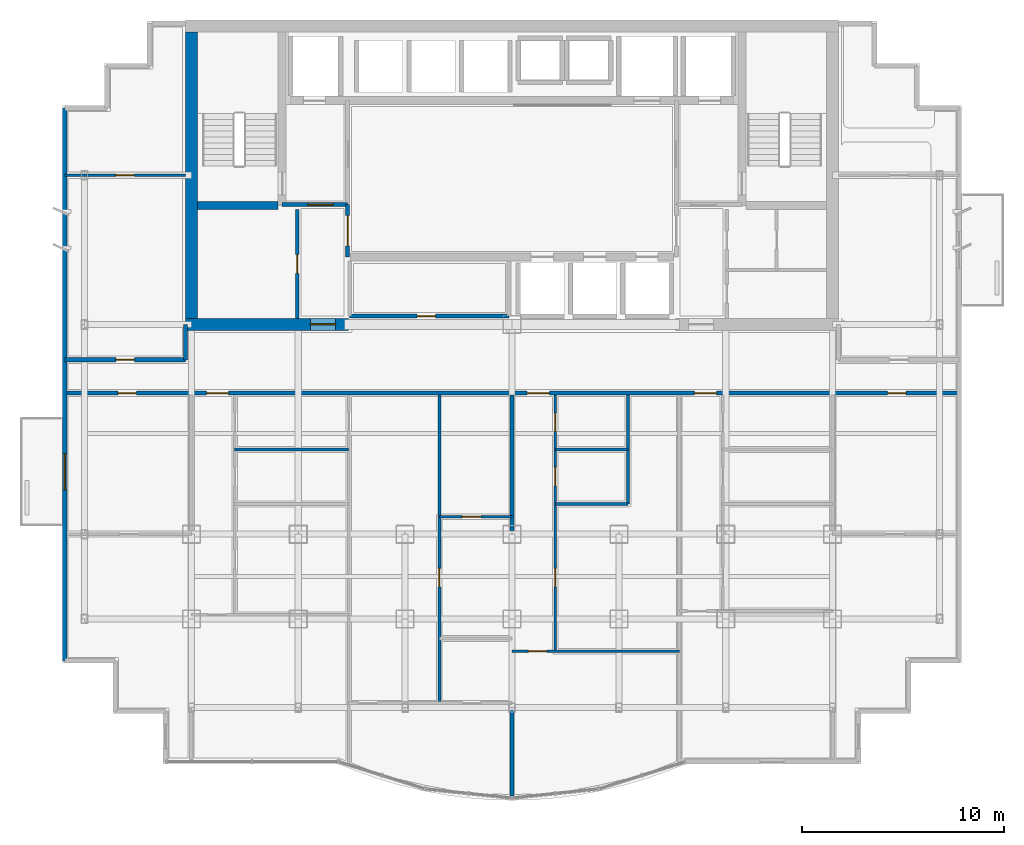
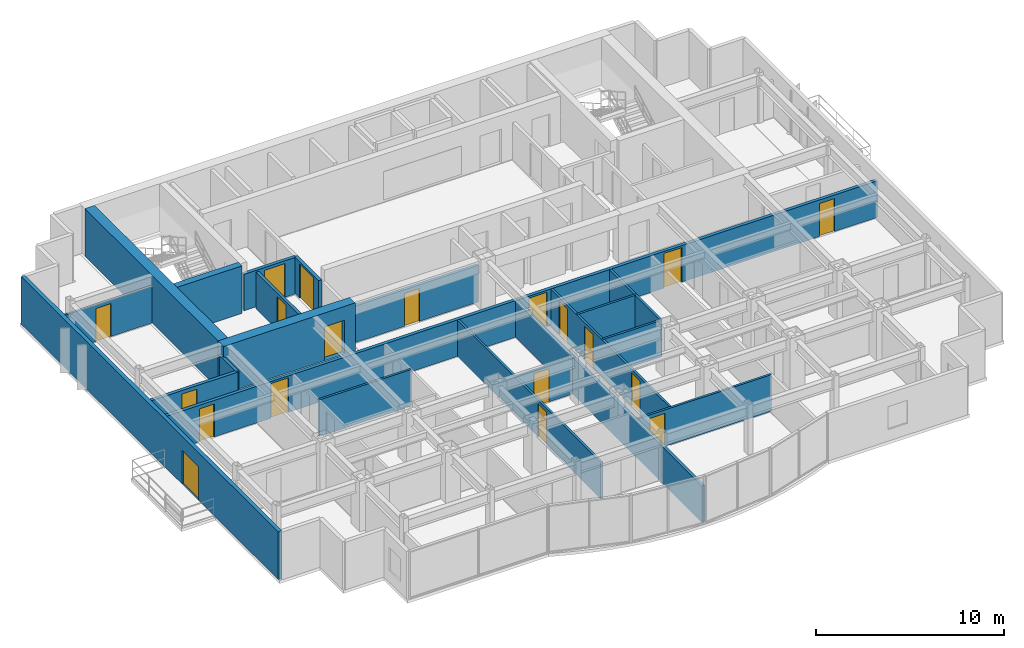
# One storey, part 6 of 11: 21 walls, 19 doors, 19 openings.
"""IFC4 building model written with IfcOpenShell, lengths in metres."""

from ifc_helpers import new_model, si_unit, direction, frame, frame_2d, origin, place, context, subcontext, project, spatial, rectangle, extrude, material, layer, layer_set, type_object, element, fill, save


model = new_model("IFC4")

# Units and contexts
model_context = context("Model", 3, precision=1e-05, world=origin(), true_north=direction((0.0, 1.0)))
body_context = subcontext(model_context, "Body", "Model", "MODEL_VIEW")
ifc_project = project(units=[si_unit("LENGTHUNIT", "METRE"), si_unit("AREAUNIT", "SQUARE_METRE"), si_unit("VOLUMEUNIT", "CUBIC_METRE"), si_unit("PLANEANGLEUNIT", "RADIAN"), si_unit("MASSUNIT", "GRAM", prefix="KILO")], contexts=[model_context])

# Site, building, storey
site_placement = place(None, origin())
site = spatial("IfcSite", under=ifc_project, at=site_placement, CompositionType="ELEMENT")
building_placement = place(site_placement, origin())
building = spatial("IfcBuilding", under=site, at=building_placement, Name="Qianlan Lanfeng Residences", CompositionType="ELEMENT")
storey_placement = place(building_placement, frame((0.0, 0.0, 152.39990234375)))
storey = spatial("IfcBuildingStorey", under=building, at=storey_placement, Name="L41", CompositionType="ELEMENT", Elevation=152.39990234375)

# Walls
ifc_material_1 = material(Name="Concrete C56", Category="concrete")
ifc_layer_1 = layer(ifc_material_1, 0.39990234375)
ifc_layer_set_1 = layer_set([ifc_layer_1], Name="Concrete C56")
wall_type_1 = type_object("IfcWallType", Name="CW-RC-400", PredefinedType="SHEAR", material=ifc_layer_set_1)
wall_1_placement = place(storey_placement, frame((10.89990234375, 31.10009765625, 0.0), z_axis=(0.0, 0.0, 1.0), x_axis=(1.0, 0.0, 0.0)))
element("IfcWall", 1, at=wall_1_placement, inside=storey, type_object=wall_type_1, Name="L41 Core Shear Wall ST1S", PredefinedType="SHEAR", context=body_context, shape_type="SweptSolid", body=[
    extrude(rectangle(XDim=4.0, YDim=0.39990234375, at=frame_2d((2.0, 0.0))), origin(), (0.0, 0.0, 1.0), 3.10009765625),
])
ifc_layer_2 = layer(ifc_material_1, 0.60009765625)
ifc_layer_set_2 = layer_set([ifc_layer_2], Name="Concrete C56")
wall_type_2 = type_object("IfcWallType", Name="CW-RC-600", PredefinedType="SHEAR", material=ifc_layer_set_2)
wall_2_placement = place(storey_placement, frame((10.60009765625, 25.5, 0.0), z_axis=(0.0, 0.0, 1.0), x_axis=(0.0, 1.0, 0.0)))
element("IfcWall", 2, at=wall_2_placement, inside=storey, type_object=wall_type_2, Name="L41 Core Shear Wall W", PredefinedType="SHEAR", context=body_context, shape_type="SweptSolid", body=[
    extrude(rectangle(XDim=14.199951171875, YDim=0.60009765625, at=frame_2d((7.10009765625, 0.0))), origin(), (0.0, 0.0, 1.0), 3.10009765625),
])

# Wall, opening, door
wall_3_placement = place(storey_placement, frame((10.300048828125, 25.199951171875, 0.0), z_axis=(0.0, 0.0, 1.0), x_axis=(1.0, 0.0, 0.0)))
wall_3 = element("IfcWall", 3, at=wall_3_placement, inside=storey, type_object=wall_type_2, Name="L41 Core Shear Wall SW", PredefinedType="SHEAR", context=body_context, shape_type="SweptSolid", body=[
    extrude(rectangle(XDim=8.099853515625, YDim=0.60009765625, at=frame_2d((4.0498046875, 0.0))), origin(), (0.0, 0.0, 1.0), 3.10009765625),
])
opening_1_placement = place(wall_3_placement, frame((6.199951171875, 0.0, 0.0)))
opening_1 = element("IfcOpeningElement", 4, at=opening_1_placement, cuts=wall_3, Name="Opening L41-D01", PredefinedType="OPENING", context=body_context, shape_type="SweptSolid", body=[
    extrude(rectangle(XDim=1.25, YDim=2.199951171875, at=frame_2d((0.625, 1.10009765625))), frame((0.0, 0.31005859375, 0.0), z_axis=(0.0, -1.0, 0.0), x_axis=(1.0, 0.0, 0.0)), (0.0, 0.0, 1.0), 0.6201171875),
])
ifc_material_2 = material(Name="Painted Galvanised Steel Fire Door", Category="steel")
door_type_1 = type_object("IfcDoorType", Name="DT-FFL", OperationType="NOTDEFINED", PredefinedType="DOOR", material=ifc_material_2)
door_1_placement = place(opening_1_placement, origin())
door_1 = element("IfcDoor", 5, at=door_1_placement, inside=storey, type_object=door_type_1, Name="L41 West Core Lobby Smoke Door L41-D01 (DT-FFL)", OperationType="SINGLE_SWING_RIGHT", OverallHeight=2.199951171875, OverallWidth=1.25, PredefinedType="DOOR", context=body_context, shape_type="SweptSolid", body=[
    extrude(rectangle(XDim=1.25, YDim=2.199951171875, at=frame_2d((0.625, 1.10009765625))), frame((0.0, 0.02490234375, 0.0), z_axis=(0.0, -1.0, 0.0), x_axis=(1.0, 0.0, 0.0)), (0.0, 0.0, 1.0), 0.050048828125),
])
fill(opening_1, door_1)

ifc_material_3 = material(Name="Concrete C42", Category="concrete")
ifc_layer_3 = layer(ifc_material_3, 0.239990234375)
ifc_layer_set_3 = layer_set([ifc_layer_3], Name="Concrete C42")
wall_type_3 = type_object("IfcWallType", Name="EW-240", PredefinedType="SOLIDWALL", material=ifc_layer_set_3)
wall_4_placement = place(storey_placement, frame((4.320068359375, 35.929931640625, 0.0), z_axis=(0.0, 0.0, 1.0), x_axis=(0.0, -1.0, 0.0)))
wall_4 = element("IfcWall", 6, at=wall_4_placement, inside=storey, type_object=wall_type_3, Name="L41 Terrace/Balcony Access Exterior Wall 21", PredefinedType="SOLIDWALL", context=body_context, shape_type="SweptSolid", body=[
    extrude(rectangle(XDim=27.409912109375, YDim=0.239990234375, at=frame_2d((13.705078125, 0.0))), origin(), (0.0, 0.0, 1.0), 3.10009765625),
])
opening_2_placement = place(wall_4_placement, frame((17.1298828125, 0.0, 0.0)))
opening_2 = element("IfcOpeningElement", 7, at=opening_2_placement, cuts=wall_4, Name="Opening L41-D-WB-S", PredefinedType="OPENING", context=body_context, shape_type="SweptSolid", body=[
    extrude(rectangle(XDim=1.800048828125, YDim=2.199951171875, at=frame_2d((0.89990234375, 1.10009765625))), frame((0.0, 0.1298828125, 0.0), z_axis=(0.0, -1.0, 0.0), x_axis=(1.0, 0.0, 0.0)), (0.0, 0.0, 1.0), 0.260009765625),
])
ifc_material_4 = material(Name="Anodised Bronze Aluminium Framed Glass", Category="aluminium")
door_type_2 = type_object("IfcDoorType", Name="DT-BAL1", OperationType="NOTDEFINED", PredefinedType="DOOR", material=ifc_material_4)
door_2_placement = place(opening_2_placement, frame((1.800048828125, 0.0, 0.0), z_axis=(0.0, 0.0, 1.0), x_axis=(-1.0, 0.0, 0.0)))
door_2 = element("IfcDoor", 8, at=door_2_placement, inside=storey, type_object=door_type_2, Name="L41 Exterior Access Door WB-S", OperationType="DOUBLE_DOOR_SLIDING", OverallHeight=2.199951171875, OverallWidth=1.800048828125, PredefinedType="DOOR", context=body_context, shape_type="SweptSolid", body=[
    extrude(rectangle(XDim=1.800048828125, YDim=2.199951171875, at=frame_2d((0.89990234375, 1.10009765625))), frame((0.0, 0.02490234375, 0.0), z_axis=(0.0, -1.0, 0.0), x_axis=(1.0, 0.0, 0.0)), (0.0, 0.0, 1.0), 0.050048828125),
])
fill(opening_2, door_2)

ifc_material_5 = material(Name="Demountable Acoustic Framing Partition 110 mm")
ifc_layer_4 = layer(ifc_material_5, 0.110107421875)
ifc_layer_set_4 = layer_set([ifc_layer_4], Name="Demountable Acoustic Framing Partition 110 mm")
wall_type_4 = type_object("IfcWallType", Name="PW-110", PredefinedType="MOVABLE", material=ifc_layer_set_4)
wall_5_placement = place(storey_placement, frame((22.89990234375, 15.662109375, 0.0), z_axis=(0.0, 0.0, 1.0), x_axis=(1.0, 0.0, 0.0)))
wall_5 = element("IfcWall", 9, at=wall_5_placement, inside=storey, type_object=wall_type_4, Name="L41 U01 Wardrobe Split", PredefinedType="MOVABLE", context=body_context, shape_type="SweptSolid", body=[
    extrude(rectangle(XDim=3.60009765625, YDim=0.110107421875, at=frame_2d((1.800048828125, 0.0))), origin(), (0.0, 0.0, 1.0), 2.380126953125),
])
opening_3_placement = place(wall_5_placement, frame((1.139892578125, 0.0, 0.0)))
opening_3 = element("IfcOpeningElement", 10, at=opening_3_placement, cuts=wall_5, Name="Opening L41-D25", PredefinedType="OPENING", context=body_context, shape_type="SweptSolid", body=[
    extrude(rectangle(XDim=0.919921875, YDim=2.14990234375, at=frame_2d((0.4599609375, 1.074951171875))), frame((0.0, 0.06494140625, 0.0), z_axis=(0.0, -1.0, 0.0), x_axis=(1.0, 0.0, 0.0)), (0.0, 0.0, 1.0), 0.130126953125),
])
ifc_material_6 = material(Name="Glazed Timber Kitchen/Study Door", Category="wood")
door_type_3 = type_object("IfcDoorType", Name="DT-INT", OperationType="NOTDEFINED", PredefinedType="DOOR", material=ifc_material_6)
door_3_placement = place(opening_3_placement, origin())
door_3 = element("IfcDoor", 11, at=door_3_placement, inside=storey, type_object=door_type_3, Name="L41 U01 Dressing Inner Door L41-D25 (DT-INT)", OperationType="SINGLE_SWING_RIGHT", OverallHeight=2.14990234375, OverallWidth=0.919921875, PredefinedType="DOOR", context=body_context, shape_type="SweptSolid", body=[
    extrude(rectangle(XDim=0.919921875, YDim=2.14990234375, at=frame_2d((0.4599609375, 1.074951171875))), frame((0.0, 0.02490234375, 0.0), z_axis=(0.0, -1.0, 0.0), x_axis=(1.0, 0.0, 0.0)), (0.0, 0.0, 1.0), 0.050048828125),
])
fill(opening_3, door_3)

# Wall
ifc_material_7 = material(Name="Moisture-Resistant Gypsum Partition 135 mm")
ifc_layer_5 = layer(ifc_material_7, 0.135009765625)
ifc_layer_set_5 = layer_set([ifc_layer_5], Name="Moisture-Resistant Gypsum Partition 135 mm")
wall_type_5 = type_object("IfcWallType", Name="PW-135", PredefinedType="PARTITIONING", material=ifc_layer_set_5)
wall_6_placement = place(storey_placement, frame((12.75, 19.0, 0.0), z_axis=(0.0, 0.0, 1.0), x_axis=(1.0, 0.0, 0.0)))
element("IfcWall", 12, at=wall_6_placement, inside=storey, type_object=wall_type_5, Name="L41 U01 Bathroom South Wall", PredefinedType="PARTITIONING", context=body_context, shape_type="SweptSolid", body=[
    extrude(rectangle(XDim=5.64990234375, YDim=0.135009765625, at=frame_2d((2.824951171875, 0.0))), origin(), (0.0, 0.0, 1.0), 2.380126953125),
])

# Wall, opening, door
wall_7_placement = place(storey_placement, frame((22.89990234375, 6.424072265625, 0.0), z_axis=(0.0, 0.0, 1.0), x_axis=(0.0, 1.0, 0.0)))
wall_7 = element("IfcWall", 13, at=wall_7_placement, inside=storey, type_object=wall_type_5, Name="L41 U01 Master Passage Wall", PredefinedType="PARTITIONING", context=body_context, shape_type="SweptSolid", body=[
    extrude(rectangle(XDim=15.27587890625, YDim=0.135009765625, at=frame_2d((7.637939453125, 0.0))), origin(), (0.0, 0.0, 1.0), 2.380126953125),
])
opening_4_placement = place(wall_7_placement, frame((5.759033203125, 0.0, 0.0)))
opening_4 = element("IfcOpeningElement", 14, at=opening_4_placement, cuts=wall_7, Name="Opening L41-D24", PredefinedType="OPENING", context=body_context, shape_type="SweptSolid", body=[
    extrude(rectangle(XDim=0.919921875, YDim=2.14990234375, at=frame_2d((0.4599609375, 1.074951171875))), frame((0.0, 0.07763671875, 0.0), z_axis=(0.0, -1.0, 0.0), x_axis=(1.0, 0.0, 0.0)), (0.0, 0.0, 1.0), 0.155029296875),
])
door_4_placement = place(opening_4_placement, origin())
door_4 = element("IfcDoor", 15, at=door_4_placement, inside=storey, type_object=door_type_3, Name="L41 U01 Wardrobe Door L41-D24 (DT-INT)", OperationType="SINGLE_SWING_LEFT", OverallHeight=2.14990234375, OverallWidth=0.919921875, PredefinedType="DOOR", context=body_context, shape_type="SweptSolid", body=[
    extrude(rectangle(XDim=0.919921875, YDim=2.14990234375, at=frame_2d((0.4599609375, 1.074951171875))), frame((0.0, 0.02490234375, 0.0), z_axis=(0.0, -1.0, 0.0), x_axis=(1.0, 0.0, 0.0)), (0.0, 0.0, 1.0), 0.050048828125),
])
fill(opening_4, door_4)

wall_8_placement = place(storey_placement, frame((26.5, 8.990966796875, 0.0), z_axis=(0.0, 0.0, 1.0), x_axis=(1.0, 0.0, 0.0)))
wall_8 = element("IfcWall", 16, at=wall_8_placement, inside=storey, type_object=wall_type_5, Name="L41 U02 Living Divider", PredefinedType="PARTITIONING", context=body_context, shape_type="SweptSolid", body=[
    extrude(rectangle(XDim=8.300048828125, YDim=0.135009765625, at=frame_2d((4.14990234375, 0.0))), origin(), (0.0, 0.0, 1.0), 2.380126953125),
])
opening_5_placement = place(wall_8_placement, frame((0.81494140625, 0.0, 0.0)))
opening_5 = element("IfcOpeningElement", 17, at=opening_5_placement, cuts=wall_8, Name="Opening L41-D27", PredefinedType="OPENING", context=body_context, shape_type="SweptSolid", body=[
    extrude(rectangle(XDim=0.919921875, YDim=2.14990234375, at=frame_2d((0.4599609375, 1.074951171875))), frame((0.0, 0.07763671875, 0.0), z_axis=(0.0, -1.0, 0.0), x_axis=(1.0, 0.0, 0.0)), (0.0, 0.0, 1.0), 0.155029296875),
])
door_5_placement = place(opening_5_placement, origin())
door_5 = element("IfcDoor", 18, at=door_5_placement, inside=storey, type_object=door_type_3, Name="L41 U02 Living Passage Door L41-D27 (DT-INT)", OperationType="SINGLE_SWING_LEFT", OverallHeight=2.14990234375, OverallWidth=0.919921875, PredefinedType="DOOR", context=body_context, shape_type="SweptSolid", body=[
    extrude(rectangle(XDim=0.919921875, YDim=2.14990234375, at=frame_2d((0.4599609375, 1.074951171875))), frame((0.0, 0.02490234375, 0.0), z_axis=(0.0, -1.0, 0.0), x_axis=(1.0, 0.0, 0.0)), (0.0, 0.0, 1.0), 0.050048828125),
])
fill(opening_5, door_5)

# Wall, openings, doors
wall_9_placement = place(storey_placement, frame((28.64990234375, 8.990966796875, 0.0), z_axis=(0.0, 0.0, 1.0), x_axis=(0.0, 1.0, 0.0)))
wall_9 = element("IfcWall", 19, at=wall_9_placement, inside=storey, type_object=wall_type_5, Name="L41 U02 Entry Hall Spine", PredefinedType="PARTITIONING", context=body_context, shape_type="SweptSolid", body=[
    extrude(rectangle(XDim=12.708984375, YDim=0.135009765625, at=frame_2d((6.3544921875, 0.0))), origin(), (0.0, 0.0, 1.0), 2.380126953125),
])
opening_6_placement = place(wall_9_placement, frame((3.195068359375, 0.0, 0.0)))
opening_6 = element("IfcOpeningElement", 20, at=opening_6_placement, cuts=wall_9, Name="Opening L41-D28", PredefinedType="OPENING", context=body_context, shape_type="SweptSolid", body=[
    extrude(rectangle(XDim=0.919921875, YDim=2.14990234375, at=frame_2d((0.4599609375, 1.074951171875))), frame((0.0, 0.07763671875, 0.0), z_axis=(0.0, -1.0, 0.0), x_axis=(1.0, 0.0, 0.0)), (0.0, 0.0, 1.0), 0.155029296875),
])
opening_7_placement = place(wall_9_placement, frame((8.198974609375, 0.0, 0.0)))
opening_7 = element("IfcOpeningElement", 21, at=opening_7_placement, cuts=wall_9, Name="Opening L41-D29", PredefinedType="OPENING", context=body_context, shape_type="SweptSolid", body=[
    extrude(rectangle(XDim=0.919921875, YDim=2.14990234375, at=frame_2d((0.4599609375, 1.074951171875))), frame((0.0, 0.07763671875, 0.0), z_axis=(0.0, -1.0, 0.0), x_axis=(1.0, 0.0, 0.0)), (0.0, 0.0, 1.0), 0.155029296875),
])
opening_8_placement = place(wall_9_placement, frame((10.908935546875, 0.0, 0.0)))
opening_8 = element("IfcOpeningElement", 22, at=opening_8_placement, cuts=wall_9, Name="Opening L41-D30", PredefinedType="OPENING", context=body_context, shape_type="SweptSolid", body=[
    extrude(rectangle(XDim=0.89990234375, YDim=2.14990234375, at=frame_2d((0.449951171875, 1.074951171875))), frame((0.0, 0.07763671875, 0.0), z_axis=(0.0, -1.0, 0.0), x_axis=(1.0, 0.0, 0.0)), (0.0, 0.0, 1.0), 0.155029296875),
])
door_6_placement = place(opening_6_placement, origin())
door_6 = element("IfcDoor", 23, at=door_6_placement, inside=storey, type_object=door_type_3, Name="L41 U02 Study Door L41-D28 (DT-INT)", OperationType="SINGLE_SWING_LEFT", OverallHeight=2.14990234375, OverallWidth=0.919921875, PredefinedType="DOOR", context=body_context, shape_type="SweptSolid", body=[
    extrude(rectangle(XDim=0.919921875, YDim=2.14990234375, at=frame_2d((0.4599609375, 1.074951171875))), frame((0.0, 0.02490234375, 0.0), z_axis=(0.0, -1.0, 0.0), x_axis=(1.0, 0.0, 0.0)), (0.0, 0.0, 1.0), 0.050048828125),
])
fill(opening_6, door_6)
door_7_placement = place(opening_7_placement, origin())
door_7 = element("IfcDoor", 24, at=door_7_placement, inside=storey, type_object=door_type_3, Name="L41 U02 Kitchen Door L41-D29 (DT-INT)", OperationType="SINGLE_SWING_RIGHT", OverallHeight=2.14990234375, OverallWidth=0.919921875, PredefinedType="DOOR", context=body_context, shape_type="SweptSolid", body=[
    extrude(rectangle(XDim=0.919921875, YDim=2.14990234375, at=frame_2d((0.4599609375, 1.074951171875))), frame((0.0, 0.02490234375, 0.0), z_axis=(0.0, -1.0, 0.0), x_axis=(1.0, 0.0, 0.0)), (0.0, 0.0, 1.0), 0.050048828125),
])
fill(opening_7, door_7)
ifc_material_8 = material(Name="Moisture-Resistant Timber Leaf", Category="wood")
door_type_4 = type_object("IfcDoorType", Name="DT-WC", OperationType="NOTDEFINED", PredefinedType="DOOR", material=ifc_material_8)
door_8_placement = place(opening_8_placement, origin())
door_8 = element("IfcDoor", 25, at=door_8_placement, inside=storey, type_object=door_type_4, Name="L41 U02 Bathroom Door L41-D30 (DT-WC)", OperationType="SINGLE_SWING_LEFT", OverallHeight=2.14990234375, OverallWidth=0.89990234375, PredefinedType="DOOR", context=body_context, shape_type="SweptSolid", body=[
    extrude(rectangle(XDim=0.89990234375, YDim=2.14990234375, at=frame_2d((0.449951171875, 1.074951171875))), frame((0.0, 0.02490234375, 0.0), z_axis=(0.0, -1.0, 0.0), x_axis=(1.0, 0.0, 0.0)), (0.0, 0.0, 1.0), 0.050048828125),
])
fill(opening_8, door_8)

# Walls
wall_10_placement = place(storey_placement, frame((28.64990234375, 16.300048828125, 0.0), z_axis=(0.0, 0.0, 1.0), x_axis=(1.0, 0.0, 0.0)))
element("IfcWall", 26, at=wall_10_placement, inside=storey, type_object=wall_type_5, Name="L41 U02 Kitchen South Wall", PredefinedType="PARTITIONING", context=body_context, shape_type="SweptSolid", body=[
    extrude(rectangle(XDim=3.60009765625, YDim=0.135009765625, at=frame_2d((1.800048828125, 0.0))), origin(), (0.0, 0.0, 1.0), 2.380126953125),
])
wall_11_placement = place(storey_placement, frame((32.25, 16.300048828125, 0.0), z_axis=(0.0, 0.0, 1.0), x_axis=(0.0, 1.0, 0.0)))
element("IfcWall", 27, at=wall_11_placement, inside=storey, type_object=wall_type_5, Name="L41 U02 Dining East Wall", PredefinedType="PARTITIONING", context=body_context, shape_type="SweptSolid", body=[
    extrude(rectangle(XDim=5.39990234375, YDim=0.135009765625, at=frame_2d((2.699951171875, 0.0))), origin(), (0.0, 0.0, 1.0), 2.380126953125),
])
wall_12_placement = place(storey_placement, frame((28.64990234375, 19.0, 0.0), z_axis=(0.0, 0.0, 1.0), x_axis=(1.0, 0.0, 0.0)))
element("IfcWall", 28, at=wall_12_placement, inside=storey, type_object=wall_type_5, Name="L41 U02 Bathroom South Wall", PredefinedType="PARTITIONING", context=body_context, shape_type="SweptSolid", body=[
    extrude(rectangle(XDim=3.60009765625, YDim=0.135009765625, at=frame_2d((1.800048828125, 0.0))), origin(), (0.0, 0.0, 1.0), 2.380126953125),
])

# Wall, opening, door
wall_13_placement = place(storey_placement, frame((4.320068359375, 32.60009765625, 0.0), z_axis=(0.0, 0.0, 1.0), x_axis=(1.0, 0.0, 0.0)))
wall_13 = element("IfcWall", 29, at=wall_13_placement, inside=storey, type_object=wall_type_5, Name="L41 WW North Wing Wall", PredefinedType="PARTITIONING", context=body_context, shape_type="SweptSolid", body=[
    extrude(rectangle(XDim=5.97998046875, YDim=0.135009765625, at=frame_2d((2.989990234375, 0.0))), origin(), (0.0, 0.0, 1.0), 2.380126953125),
])
opening_9_placement = place(wall_13_placement, frame((2.530029296875, 0.0, 0.0)))
opening_9 = element("IfcOpeningElement", 30, at=opening_9_placement, cuts=wall_13, Name="Opening L41-D40", PredefinedType="OPENING", context=body_context, shape_type="SweptSolid", body=[
    extrude(rectangle(XDim=0.919921875, YDim=2.14990234375, at=frame_2d((0.4599609375, 1.074951171875))), frame((0.0, 0.07763671875, 0.0), z_axis=(0.0, -1.0, 0.0), x_axis=(1.0, 0.0, 0.0)), (0.0, 0.0, 1.0), 0.155029296875),
])
door_9_placement = place(opening_9_placement, origin())
door_9 = element("IfcDoor", 31, at=door_9_placement, inside=storey, type_object=door_type_3, Name="L41 WW Inner Salon Door L41-D40 (DT-INT)", OperationType="SINGLE_SWING_LEFT", OverallHeight=2.14990234375, OverallWidth=0.919921875, PredefinedType="DOOR", context=body_context, shape_type="SweptSolid", body=[
    extrude(rectangle(XDim=0.919921875, YDim=2.14990234375, at=frame_2d((0.4599609375, 1.074951171875))), frame((0.0, 0.02490234375, 0.0), z_axis=(0.0, -1.0, 0.0), x_axis=(1.0, 0.0, 0.0)), (0.0, 0.0, 1.0), 0.050048828125),
])
fill(opening_9, door_9)

ifc_material_9 = material(Name="Double-Layer Acoustic Gypsum Stud Wall 180 mm")
ifc_layer_6 = layer(ifc_material_9, 0.179931640625)
ifc_layer_set_6 = layer_set([ifc_layer_6], Name="Double-Layer Acoustic Gypsum Stud Wall 180 mm")
wall_type_6 = type_object("IfcWallType", Name="PW-180", PredefinedType="PARTITIONING", material=ifc_layer_set_6)
wall_14_placement = place(storey_placement, frame((15.85009765625, 25.5, 0.0), z_axis=(0.0, 0.0, 1.0), x_axis=(0.0, 1.0, 0.0)))
wall_14 = element("IfcWall", 32, at=wall_14_placement, inside=storey, type_object=wall_type_6, Name="L41 Core West Service Room Wall", PredefinedType="PARTITIONING", context=body_context, shape_type="SweptSolid", body=[
    extrude(rectangle(XDim=5.39990234375, YDim=0.179931640625, at=frame_2d((2.699951171875, 0.0))), origin(), (0.0, 0.0, 1.0), 2.380126953125),
])
opening_10_placement = place(wall_14_placement, frame((2.239990234375, 0.0, 0.0)))
opening_10 = element("IfcOpeningElement", 33, at=opening_10_placement, cuts=wall_14, Name="Opening L41-D09", PredefinedType="OPENING", context=body_context, shape_type="SweptSolid", body=[
    extrude(rectangle(XDim=0.919921875, YDim=2.14990234375, at=frame_2d((0.4599609375, 1.074951171875))), frame((0.0, 0.10009765625, 0.0), z_axis=(0.0, -1.0, 0.0), x_axis=(1.0, 0.0, 0.0)), (0.0, 0.0, 1.0), 0.199951171875),
])
door_10_placement = place(opening_10_placement, origin())
door_10 = element("IfcDoor", 34, at=door_10_placement, inside=storey, type_object=door_type_3, Name="L41 Storage Room Door L41-D09 (DT-INT)", OperationType="SINGLE_SWING_RIGHT", OverallHeight=2.14990234375, OverallWidth=0.919921875, PredefinedType="DOOR", context=body_context, shape_type="SweptSolid", body=[
    extrude(rectangle(XDim=0.919921875, YDim=2.14990234375, at=frame_2d((0.4599609375, 1.074951171875))), frame((0.0, 0.02490234375, 0.0), z_axis=(0.0, -1.0, 0.0), x_axis=(1.0, 0.0, 0.0)), (0.0, 0.0, 1.0), 0.050048828125),
])
fill(opening_10, door_10)

wall_15_placement = place(storey_placement, frame((18.449951171875, 25.6201171875, 0.0), z_axis=(0.0, 0.0, 1.0), x_axis=(1.0, 0.0, 0.0)))
wall_15 = element("IfcWall", 35, at=wall_15_placement, inside=storey, type_object=wall_type_6, Name="L41 Reclaimed Low-Bank Room South Wall", PredefinedType="PARTITIONING", context=body_context, shape_type="SweptSolid", body=[
    extrude(rectangle(XDim=7.900146484375, YDim=0.179931640625, at=frame_2d((3.9501953125, 0.0))), origin(), (0.0, 0.0, 1.0), 2.380126953125),
])
opening_11_placement = place(wall_15_placement, frame((3.340087890625, 0.0, 0.0)))
opening_11 = element("IfcOpeningElement", 36, at=opening_11_placement, cuts=wall_15, Name="Opening L41-D15", PredefinedType="OPENING", context=body_context, shape_type="SweptSolid", body=[
    extrude(rectangle(XDim=0.919921875, YDim=2.14990234375, at=frame_2d((0.4599609375, 1.074951171875))), frame((0.0, 0.10009765625, 0.0), z_axis=(0.0, -1.0, 0.0), x_axis=(1.0, 0.0, 0.0)), (0.0, 0.0, 1.0), 0.199951171875),
])
door_11_placement = place(opening_11_placement, origin())
door_11 = element("IfcDoor", 37, at=door_11_placement, inside=storey, type_object=door_type_3, Name="L41 Reclaimed Core Salon Door L41-D15 (DT-INT)", OperationType="SINGLE_SWING_RIGHT", OverallHeight=2.14990234375, OverallWidth=0.919921875, PredefinedType="DOOR", context=body_context, shape_type="SweptSolid", body=[
    extrude(rectangle(XDim=0.919921875, YDim=2.14990234375, at=frame_2d((0.4599609375, 1.074951171875))), frame((0.0, 0.02490234375, 0.0), z_axis=(0.0, -1.0, 0.0), x_axis=(1.0, 0.0, 0.0)), (0.0, 0.0, 1.0), 0.050048828125),
])
fill(opening_11, door_11)

# Wall
wall_16_placement = place(storey_placement, frame((26.5, 1.820068359375, 0.0), z_axis=(0.0, 0.0, 1.0), x_axis=(0.0, 1.0, 0.0)))
element("IfcWall", 38, at=wall_16_placement, inside=storey, type_object=wall_type_6, Name="L41 Inter-Tenancy Party Wall 2", PredefinedType="PARTITIONING", context=body_context, shape_type="SweptSolid", body=[
    extrude(rectangle(XDim=19.8798828125, YDim=0.179931640625, at=frame_2d((9.93994140625, 0.0))), origin(), (0.0, 0.0, 1.0), 2.380126953125),
])

# Wall, opening, door
ifc_material_10 = material(Name="Autoclaved Aerated Concrete Blockwork 200 mm", Category="masonry")
ifc_layer_7 = layer(ifc_material_10, 0.199951171875)
ifc_layer_set_7 = layer_set([ifc_layer_7], Name="Autoclaved Aerated Concrete Blockwork 200 mm")
wall_type_7 = type_object("IfcWallType", Name="PW-200", PredefinedType="PARTITIONING", material=ifc_layer_set_7)
wall_17_placement = place(storey_placement, frame((15.10009765625, 31.14990234375, 0.0), z_axis=(0.0, 0.0, 1.0), x_axis=(1.0, 0.0, 0.0)))
wall_17 = element("IfcWall", 39, at=wall_17_placement, inside=storey, type_object=wall_type_7, Name="L41 Firefighting Lobby 1 South Wall", PredefinedType="PARTITIONING", context=body_context, shape_type="SweptSolid", body=[
    extrude(rectangle(XDim=3.25, YDim=0.199951171875, at=frame_2d((1.625, 0.0))), origin(), (0.0, 0.0, 1.0), 2.380126953125),
])
opening_12_placement = place(wall_17_placement, frame((1.27490234375, 0.0, 0.0)))
opening_12 = element("IfcOpeningElement", 40, at=opening_12_placement, cuts=wall_17, Name="Opening L41-D03", PredefinedType="OPENING", context=body_context, shape_type="SweptSolid", body=[
    extrude(rectangle(XDim=1.25, YDim=2.199951171875, at=frame_2d((0.625, 1.10009765625))), frame((0.0, 0.10986328125, 0.0), z_axis=(0.0, -1.0, 0.0), x_axis=(1.0, 0.0, 0.0)), (0.0, 0.0, 1.0), 0.219970703125),
])
door_12_placement = place(opening_12_placement, origin())
door_12 = element("IfcDoor", 41, at=door_12_placement, inside=storey, type_object=door_type_1, Name="L41 Firefighting Lobby 1 Entry Door L41-D03 (DT-FFL)", OperationType="SINGLE_SWING_LEFT", OverallHeight=2.199951171875, OverallWidth=1.25, PredefinedType="DOOR", context=body_context, shape_type="SweptSolid", body=[
    extrude(rectangle(XDim=1.25, YDim=2.199951171875, at=frame_2d((0.625, 1.10009765625))), frame((0.0, 0.02490234375, 0.0), z_axis=(0.0, -1.0, 0.0), x_axis=(1.0, 0.0, 0.0)), (0.0, 0.0, 1.0), 0.050048828125),
])
fill(opening_12, door_12)

wall_18_placement = place(storey_placement, frame((18.35009765625, 28.550048828125, 0.0), z_axis=(0.0, 0.0, 1.0), x_axis=(0.0, 1.0, 0.0)))
wall_18 = element("IfcWall", 42, at=wall_18_placement, inside=storey, type_object=wall_type_7, Name="L41 Lift Lobby West Connector Wall", PredefinedType="PARTITIONING", context=body_context, shape_type="SweptSolid", body=[
    extrude(rectangle(XDim=2.599853515625, YDim=0.199951171875, at=frame_2d((1.2998046875, 0.0))), origin(), (0.0, 0.0, 1.0), 2.380126953125),
])
opening_13_placement = place(wall_18_placement, frame((0.550048828125, 0.0, 0.0)))
opening_13 = element("IfcOpeningElement", 43, at=opening_13_placement, cuts=wall_18, Name="Opening L41-D13", PredefinedType="OPENING", context=body_context, shape_type="SweptSolid", body=[
    extrude(rectangle(XDim=1.5, YDim=2.25, at=frame_2d((0.75, 1.125))), frame((0.0, 0.10986328125, 0.0), z_axis=(0.0, -1.0, 0.0), x_axis=(1.0, 0.0, 0.0)), (0.0, 0.0, 1.0), 0.219970703125),
])
ifc_material_11 = material(Name="Timber Veneer Acoustic Fire Door", Category="wood")
door_type_5 = type_object("IfcDoorType", Name="DT-COR1", OperationType="NOTDEFINED", PredefinedType="DOOR", material=ifc_material_11)
door_13_placement = place(opening_13_placement, origin())
door_13 = element("IfcDoor", 44, at=door_13_placement, inside=storey, type_object=door_type_5, Name="L41 Lift Lobby West Portal Door L41-D13 (DT-COR1)", OperationType="DOUBLE_DOOR_SINGLE_SWING", OverallHeight=2.25, OverallWidth=1.5, PredefinedType="DOOR", context=body_context, shape_type="SweptSolid", body=[
    extrude(rectangle(XDim=1.5, YDim=2.25, at=frame_2d((0.75, 1.125))), frame((0.0, 0.02490234375, 0.0), z_axis=(0.0, -1.0, 0.0), x_axis=(1.0, 0.0, 0.0)), (0.0, 0.0, 1.0), 0.050048828125),
])
fill(opening_13, door_13)

# Wall, openings, doors
wall_19_placement = place(storey_placement, frame((4.320068359375, 21.800048828125, 0.0), z_axis=(0.0, 0.0, 1.0), x_axis=(1.0, 0.0, 0.0)))
wall_19 = element("IfcWall", 45, at=wall_19_placement, inside=storey, type_object=wall_type_7, Name="L41 Residential Corridor South Fire Wall", PredefinedType="PARTITIONING", context=body_context, shape_type="SweptSolid", body=[
    extrude(rectangle(XDim=44.35986328125, YDim=0.199951171875, at=frame_2d((22.179931640625, 0.0))), origin(), (0.0, 0.0, 1.0), 2.380126953125),
])
opening_14_placement = place(wall_19_placement, frame((7.030029296875, 0.0, 0.0)))
opening_14 = element("IfcOpeningElement", 46, at=opening_14_placement, cuts=wall_19, Name="Opening L41-D16", PredefinedType="OPENING", context=body_context, shape_type="SweptSolid", body=[
    extrude(rectangle(XDim=1.10009765625, YDim=2.25, at=frame_2d((0.550048828125, 1.125))), frame((0.0, 0.10986328125, 0.0), z_axis=(0.0, -1.0, 0.0), x_axis=(1.0, 0.0, 0.0)), (0.0, 0.0, 1.0), 0.219970703125),
])
opening_15_placement = place(wall_19_placement, frame((22.929931640625, 0.0, 0.0)))
opening_15 = element("IfcOpeningElement", 47, at=opening_15_placement, cuts=wall_19, Name="Opening L41-D26", PredefinedType="OPENING", context=body_context, shape_type="SweptSolid", body=[
    extrude(rectangle(XDim=1.10009765625, YDim=2.25, at=frame_2d((0.550048828125, 1.125))), frame((0.0, 0.10986328125, 0.0), z_axis=(0.0, -1.0, 0.0), x_axis=(1.0, 0.0, 0.0)), (0.0, 0.0, 1.0), 0.219970703125),
])
opening_16_placement = place(wall_19_placement, frame((31.22998046875, 0.0, 0.0)))
opening_16 = element("IfcOpeningElement", 48, at=opening_16_placement, cuts=wall_19, Name="Opening L41-D31", PredefinedType="OPENING", context=body_context, shape_type="SweptSolid", body=[
    extrude(rectangle(XDim=1.10009765625, YDim=2.25, at=frame_2d((0.550048828125, 1.125))), frame((0.0, 0.10986328125, 0.0), z_axis=(0.0, -1.0, 0.0), x_axis=(1.0, 0.0, 0.0)), (0.0, 0.0, 1.0), 0.219970703125),
])
opening_17_placement = place(wall_19_placement, frame((2.635009765625, 0.0, 0.0)))
opening_17 = element("IfcOpeningElement", 49, at=opening_17_placement, cuts=wall_19, Name="Opening L41-D37", PredefinedType="OPENING", context=body_context, shape_type="SweptSolid", body=[
    extrude(rectangle(XDim=0.919921875, YDim=2.14990234375, at=frame_2d((0.4599609375, 1.074951171875))), frame((0.0, 0.10986328125, 0.0), z_axis=(0.0, -1.0, 0.0), x_axis=(1.0, 0.0, 0.0)), (0.0, 0.0, 1.0), 0.219970703125),
])
opening_18_placement = place(wall_19_placement, frame((40.804931640625, 0.0, 0.0)))
opening_18 = element("IfcOpeningElement", 50, at=opening_18_placement, cuts=wall_19, Name="Opening L41-D39", PredefinedType="OPENING", context=body_context, shape_type="SweptSolid", body=[
    extrude(rectangle(XDim=0.919921875, YDim=2.14990234375, at=frame_2d((0.4599609375, 1.074951171875))), frame((0.0, 0.10986328125, 0.0), z_axis=(0.0, -1.0, 0.0), x_axis=(1.0, 0.0, 0.0)), (0.0, 0.0, 1.0), 0.219970703125),
])
door_14_placement = place(opening_17_placement, origin())
door_14 = element("IfcDoor", 51, at=door_14_placement, inside=storey, type_object=door_type_3, Name="L41 SWP Corridor Door L41-D37 (DT-INT)", OperationType="SINGLE_SWING_RIGHT", OverallHeight=2.14990234375, OverallWidth=0.919921875, PredefinedType="DOOR", context=body_context, shape_type="SweptSolid", body=[
    extrude(rectangle(XDim=0.919921875, YDim=2.14990234375, at=frame_2d((0.4599609375, 1.074951171875))), frame((0.0, 0.02490234375, 0.0), z_axis=(0.0, -1.0, 0.0), x_axis=(1.0, 0.0, 0.0)), (0.0, 0.0, 1.0), 0.050048828125),
])
fill(opening_17, door_14)
door_15_placement = place(opening_18_placement, origin())
door_15 = element("IfcDoor", 52, at=door_15_placement, inside=storey, type_object=door_type_3, Name="L41 SEP Corridor Door L41-D39 (DT-INT)", OperationType="SINGLE_SWING_RIGHT", OverallHeight=2.14990234375, OverallWidth=0.919921875, PredefinedType="DOOR", context=body_context, shape_type="SweptSolid", body=[
    extrude(rectangle(XDim=0.919921875, YDim=2.14990234375, at=frame_2d((0.4599609375, 1.074951171875))), frame((0.0, 0.02490234375, 0.0), z_axis=(0.0, -1.0, 0.0), x_axis=(1.0, 0.0, 0.0)), (0.0, 0.0, 1.0), 0.050048828125),
])
fill(opening_18, door_15)
ifc_material_12 = material(Name="Solid-Core Oak Veneer Fire Door")
door_type_6 = type_object("IfcDoorType", Name="DT-UNIT", OperationType="NOTDEFINED", PredefinedType="DOOR", material=ifc_material_12)
door_16_placement = place(opening_14_placement, origin())
door_16 = element("IfcDoor", 53, at=door_16_placement, inside=storey, type_object=door_type_6, Name="L41 Apartment U01 Entrance Door L41-D16 (DT-UNIT)", OperationType="SINGLE_SWING_RIGHT", OverallHeight=2.25, OverallWidth=1.10009765625, PredefinedType="DOOR", context=body_context, shape_type="SweptSolid", body=[
    extrude(rectangle(XDim=1.10009765625, YDim=2.25, at=frame_2d((0.550048828125, 1.125))), frame((0.0, 0.02490234375, 0.0), z_axis=(0.0, -1.0, 0.0), x_axis=(1.0, 0.0, 0.0)), (0.0, 0.0, 1.0), 0.050048828125),
])
fill(opening_14, door_16)
door_17_placement = place(opening_15_placement, origin())
door_17 = element("IfcDoor", 54, at=door_17_placement, inside=storey, type_object=door_type_6, Name="L41 Apartment U02 Entrance Door L41-D26 (DT-UNIT)", OperationType="SINGLE_SWING_RIGHT", OverallHeight=2.25, OverallWidth=1.10009765625, PredefinedType="DOOR", context=body_context, shape_type="SweptSolid", body=[
    extrude(rectangle(XDim=1.10009765625, YDim=2.25, at=frame_2d((0.550048828125, 1.125))), frame((0.0, 0.02490234375, 0.0), z_axis=(0.0, -1.0, 0.0), x_axis=(1.0, 0.0, 0.0)), (0.0, 0.0, 1.0), 0.050048828125),
])
fill(opening_15, door_17)
door_18_placement = place(opening_16_placement, origin())
door_18 = element("IfcDoor", 55, at=door_18_placement, inside=storey, type_object=door_type_6, Name="L41 Apartment U03 Entrance Door L41-D31 (DT-UNIT)", OperationType="SINGLE_SWING_RIGHT", OverallHeight=2.25, OverallWidth=1.10009765625, PredefinedType="DOOR", context=body_context, shape_type="SweptSolid", body=[
    extrude(rectangle(XDim=1.10009765625, YDim=2.25, at=frame_2d((0.550048828125, 1.125))), frame((0.0, 0.02490234375, 0.0), z_axis=(0.0, -1.0, 0.0), x_axis=(1.0, 0.0, 0.0)), (0.0, 0.0, 1.0), 0.050048828125),
])
fill(opening_16, door_18)

# Wall, opening, door
wall_20_placement = place(storey_placement, frame((4.320068359375, 23.449951171875, 0.0), z_axis=(0.0, 0.0, 1.0), x_axis=(1.0, 0.0, 0.0)))
wall_20 = element("IfcWall", 56, at=wall_20_placement, inside=storey, type_object=wall_type_7, Name="L41 Corridor NW Wall", PredefinedType="PARTITIONING", context=body_context, shape_type="SweptSolid", body=[
    extrude(rectangle(XDim=5.97998046875, YDim=0.199951171875, at=frame_2d((2.989990234375, 0.0))), origin(), (0.0, 0.0, 1.0), 2.380126953125),
])
opening_19_placement = place(wall_20_placement, frame((2.530029296875, 0.0, 0.0)))
opening_19 = element("IfcOpeningElement", 57, at=opening_19_placement, cuts=wall_20, Name="Opening L41-D41", PredefinedType="OPENING", context=body_context, shape_type="SweptSolid", body=[
    extrude(rectangle(XDim=0.919921875, YDim=2.14990234375, at=frame_2d((0.4599609375, 1.074951171875))), frame((0.0, 0.10986328125, 0.0), z_axis=(0.0, -1.0, 0.0), x_axis=(1.0, 0.0, 0.0)), (0.0, 0.0, 1.0), 0.219970703125),
])
door_19_placement = place(opening_19_placement, origin())
door_19 = element("IfcDoor", 58, at=door_19_placement, inside=storey, type_object=door_type_3, Name="L41 WW Amenity Salon Door L41-D41 (DT-INT)", OperationType="SINGLE_SWING_RIGHT", OverallHeight=2.14990234375, OverallWidth=0.919921875, PredefinedType="DOOR", context=body_context, shape_type="SweptSolid", body=[
    extrude(rectangle(XDim=0.919921875, YDim=2.14990234375, at=frame_2d((0.4599609375, 1.074951171875))), frame((0.0, 0.02490234375, 0.0), z_axis=(0.0, -1.0, 0.0), x_axis=(1.0, 0.0, 0.0)), (0.0, 0.0, 1.0), 0.050048828125),
])
fill(opening_19, door_19)

# Wall
wall_21_placement = place(storey_placement, frame((10.300048828125, 23.449951171875, 0.0), z_axis=(0.0, 0.0, 1.0), x_axis=(0.0, 1.0, 0.0)))
element("IfcWall", 59, at=wall_21_placement, inside=storey, type_object=wall_type_7, Name="L41 NW Wing Core Return Wall", PredefinedType="PARTITIONING", context=body_context, shape_type="SweptSolid", body=[
    extrude(rectangle(XDim=1.75, YDim=0.199951171875, at=frame_2d((0.875, 0.0))), origin(), (0.0, 0.0, 1.0), 2.380126953125),
])

save(model, "model.ifc")
